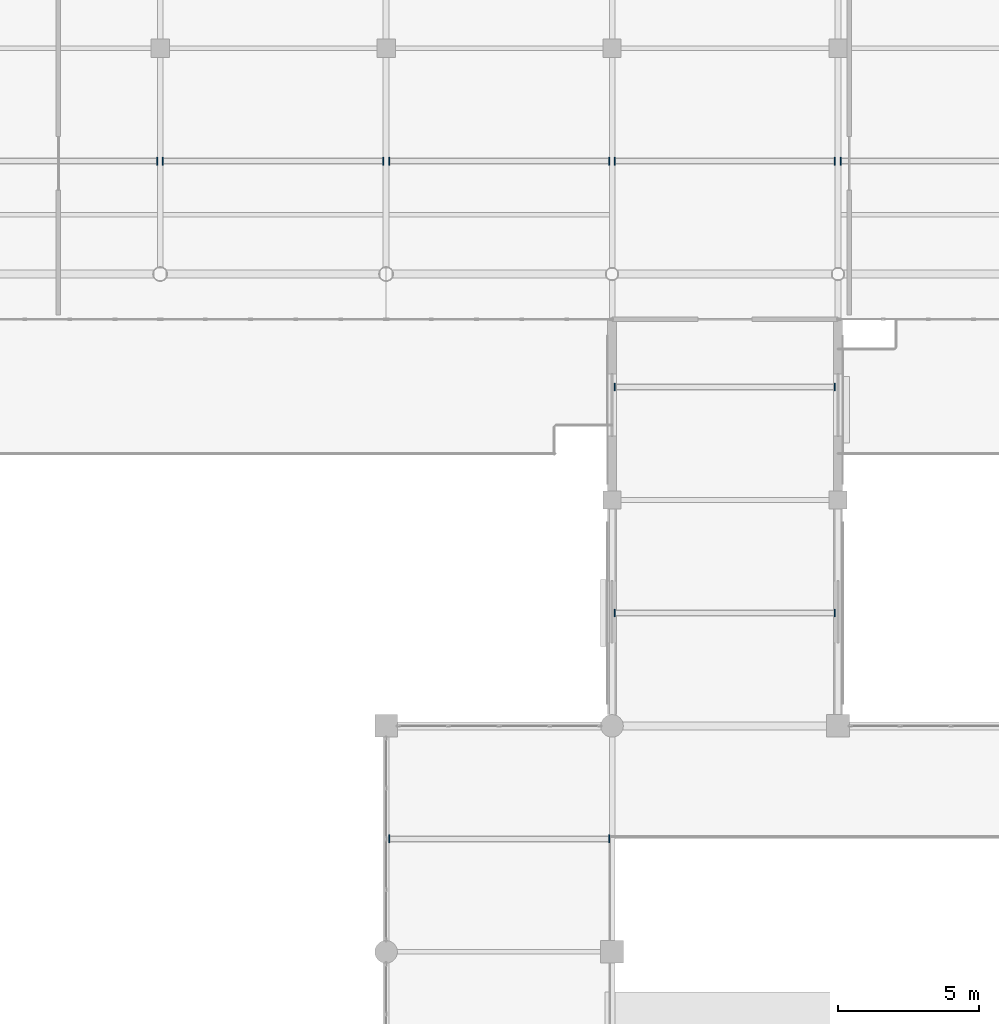
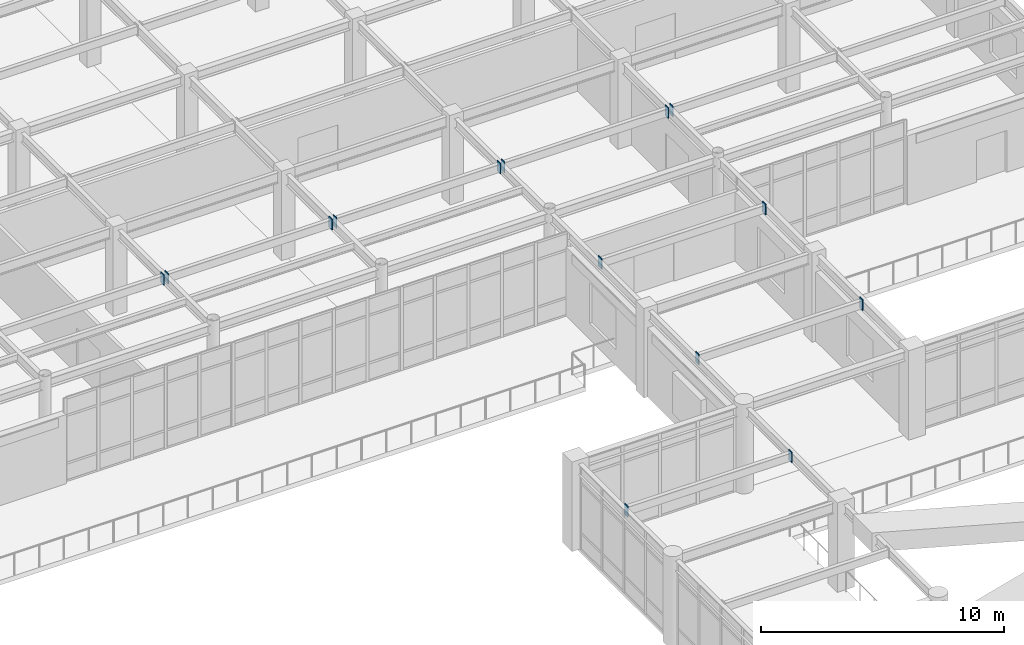
# One storey, part 72 of 93: 14 discrete accessories.
"""IFC4 building model written with IfcOpenShell, lengths in metres."""

from ifc_helpers import new_model, si_unit, direction, frame, origin, origin_2d, place, context, subcontext, project, spatial, rectangle, extrude, material, layer, layer_set, type_object, element, save


model = new_model("IFC4")

# Units and contexts
model_context = context("Model", 3, precision=1e-05, world=origin(), true_north=direction((0.0, 1.0)))
body_context = subcontext(model_context, "Body", "Model", "MODEL_VIEW")
ifc_project = project(units=[si_unit("LENGTHUNIT", "METRE"), si_unit("AREAUNIT", "SQUARE_METRE"), si_unit("VOLUMEUNIT", "CUBIC_METRE"), si_unit("PLANEANGLEUNIT", "RADIAN"), si_unit("MASSUNIT", "GRAM", prefix="KILO")], contexts=[model_context])

# Site, building, storey
site_placement = place(None, origin())
site = spatial("IfcSite", under=ifc_project, at=site_placement, CompositionType="ELEMENT")
building_placement = place(site_placement, origin())
building = spatial("IfcBuilding", under=site, at=building_placement, Name="Solmirada Galleria", CompositionType="ELEMENT")
storey_placement = place(building_placement, frame((0.0, 0.0, 14.89990234375)))
storey = spatial("IfcBuildingStorey", under=building, at=storey_placement, Name="L03", CompositionType="ELEMENT", Elevation=14.89990234375)

# Discrete accessories
ifc_material = material(Name="Steel S355 / ASTM A572 Grade 50", Category="steel")
ifc_layer = layer(ifc_material, 0.031982421875)
ifc_layer_set = layer_set([ifc_layer], Name="Steel S355 / ASTM A572 Grade 50")
discrete_accessory_type = type_object("IfcDiscreteAccessoryType", Name="ACC-COL-CAP", PredefinedType="BRACKET", material=ifc_layer_set)
for number, where, z_axis, x_axis, name in (
    (1, (71.903076171875, 92.0, 3.787109375), (0.0, 0.0, 1.0), (1.0, 0.0, 0.0), "Hollow joist end plate L04-09-12-R"),
    (2, (72.096923828125, 92.0, 3.787109375), (0.0, 0.0, 1.0), (1.0, 0.0, 0.0), "Hollow joist end plate L04-10-12-L"),
    (3, (79.89501953125, 92.0, 3.787109375), (0.0, 0.0, 1.0), (1.0, 0.0, 0.0), "Hollow joist end plate L04-10-12-R"),
    (4, (80.10498046875, 68.0, 3.8271484375), (0.0, 0.0, 1.0), (1.0, 0.0, 0.0), "Hollow joist end plate L04-11-09-L"),
    (5, (87.903076171875, 68.0, 3.8271484375), (0.0, 0.0, 1.0), (1.0, 0.0, 0.0), "Hollow joist end plate L04-11-09-R"),
    (6, (80.10498046875, 92.0, 3.787109375), (0.0, 0.0, 1.0), (1.0, 0.0, 0.0), "Hollow joist end plate L04-11-12-L"),
    (7, (87.903076171875, 92.0, 3.787109375), (0.0, 0.0, 1.0), (1.0, 0.0, 0.0), "Hollow joist end plate L04-11-12-R"),
    (8, (88.096923828125, 76.0, 3.8271484375), (0.0, 0.0, 1.0), (1.0, 0.0, 0.0), "Hollow joist end plate L04-12-10-L"),
    (9, (95.89501953125, 76.0, 3.8271484375), (0.0, 0.0, 1.0), (1.0, 0.0, 0.0), "Hollow joist end plate L04-12-10-R"),
    (10, (88.096923828125, 84.0, 3.787109375), (0.0, 0.0, 1.0), (1.0, 0.0, 0.0), "Hollow joist end plate L04-12-11-L"),
    (11, (95.89501953125, 84.0, 3.787109375), (0.0, 0.0, 1.0), (1.0, 0.0, 0.0), "Hollow joist end plate L04-12-11-R"),
    (12, (88.096923828125, 92.0, 3.787109375), (0.0, 0.0, 1.0), (1.0, 0.0, 0.0), "Hollow joist end plate L04-12-12-L"),
    (13, (95.89501953125, 92.0, 3.787109375), (0.0, 0.0, 1.0), (1.0, 0.0, 0.0), "Hollow joist end plate L04-12-12-R"),
    (14, (96.10498046875, 92.0, 3.787109375), (0.0, 0.0, 1.0), (1.0, 0.0, 0.0), "Hollow joist end plate L04-13-12-L"),
):
    element("IfcDiscreteAccessory", number, at=place(storey_placement, frame(where, z_axis=z_axis, x_axis=x_axis)), inside=storey, type_object=discrete_accessory_type, Name=name, PredefinedType="BRACKET", context=body_context, shape_type="SweptSolid", body=[
        extrude(rectangle(XDim=0.035888671875, YDim=0.280029296875, at=origin_2d()), origin(), (0.0, 0.0, 1.0), 0.5400390625),
    ])

save(model, "model.ifc")
